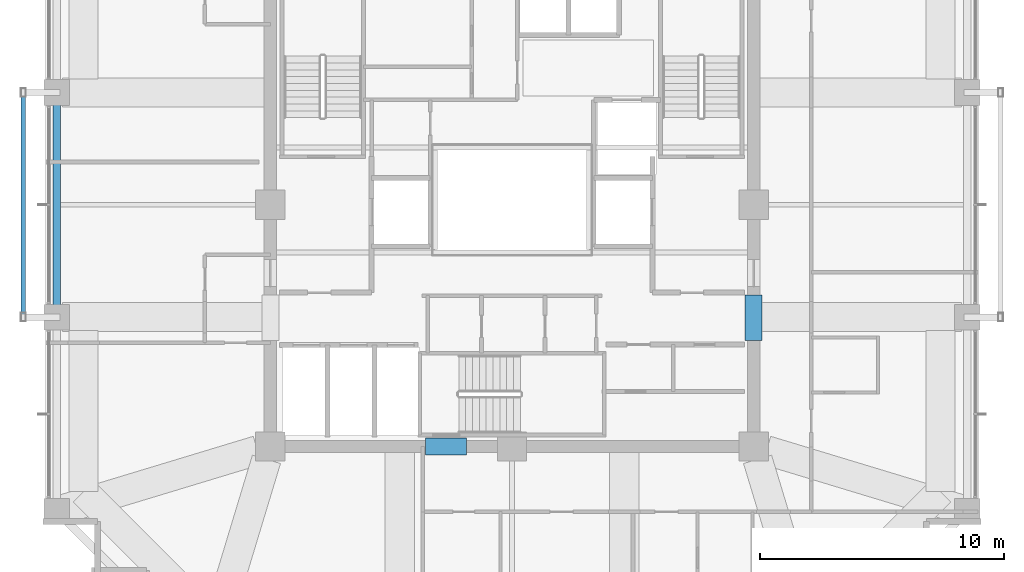
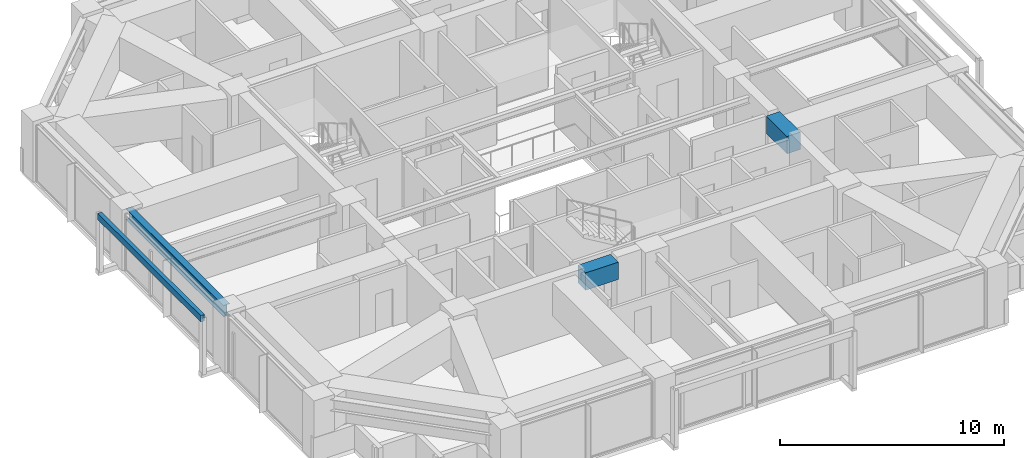
# One storey, part 7 of 28: 3 beams, 1 member.
"""IFC4 building model written with IfcOpenShell, lengths in metres."""

from ifc_helpers import new_model, si_unit, direction, frame, origin, origin_2d, place, context, subcontext, project, spatial, rectangle, hollow_rectangle, i_section, extrude, material, material_profile, profile_set, type_object, element, save


model = new_model("IFC4")

# Units and contexts
model_context = context("Model", 3, precision=1e-05, world=origin(), true_north=direction((0.0, 1.0)))
body_context = subcontext(model_context, "Body", "Model", "MODEL_VIEW")
ifc_project = project(units=[si_unit("LENGTHUNIT", "METRE"), si_unit("AREAUNIT", "SQUARE_METRE"), si_unit("VOLUMEUNIT", "CUBIC_METRE"), si_unit("PLANEANGLEUNIT", "RADIAN"), si_unit("MASSUNIT", "GRAM", prefix="KILO")], contexts=[model_context])

# Site, building, storey
site_placement = place(None, origin())
site = spatial("IfcSite", under=ifc_project, at=site_placement, CompositionType="ELEMENT")
building_placement = place(site_placement, origin())
building = spatial("IfcBuilding", under=site, at=building_placement, Name="Kolvaren Belvedere", CompositionType="ELEMENT")
storey_placement = place(building_placement, frame((0.0, 0.0, 125.0)))
storey = spatial("IfcBuildingStorey", under=building, at=storey_placement, Name="L36", CompositionType="ELEMENT", Elevation=125.0)

# Beams
ifc_material_1 = material(Name="Concrete C60/75", Category="concrete")
ifc_material_profile_1 = material_profile(ifc_material_1, rectangle(XDim=0.699951171875, YDim=0.949951171875, at=origin_2d()), Name="RC 700X950")
ifc_profile_set_1 = profile_set([ifc_material_profile_1], Name="Concrete C60/75")
beam_type_1 = type_object("IfcBeamType", Name="BM-LINT-950", PredefinedType="LINTEL", material=ifc_profile_set_1)
beam_1_placement = place(storey_placement, frame((-3.5400390625, -9.89990234375, 2.625), z_axis=(1.0, 0.0, 0.0), x_axis=(0.0, 1.0, 0.0)))
element("IfcBeam", 1, at=beam_1_placement, inside=storey, type_object=beam_type_1, Name="L36 South Core Coupling Lintel", PredefinedType="LINTEL", context=body_context, shape_type="SweptSolid", body=[
    extrude(rectangle(XDim=0.699951171875, YDim=0.949951171875, at=origin_2d()), origin(), (0.0, 0.0, 1.0), 1.679931640625),
])
beam_2_placement = place(storey_placement, frame((9.89990234375, -5.550048828125, 2.625), z_axis=(0.0, 1.0, 0.0), x_axis=(-1.0, 0.0, 0.0)))
element("IfcBeam", 2, at=beam_2_placement, inside=storey, type_object=beam_type_1, Name="L36 East Core Coupling Lintel", PredefinedType="LINTEL", context=body_context, shape_type="SweptSolid", body=[
    extrude(rectangle(XDim=0.699951171875, YDim=0.949951171875, at=origin_2d()), origin(), (0.0, 0.0, 1.0), 1.85009765625),
])
ifc_material_2 = material(Name="Structural steel ASTM A992 Grade 50", Category="steel")
ifc_material_profile_2 = material_profile(ifc_material_2, i_section(OverallWidth=0.324951171875, OverallDepth=0.615966796875, WebThickness=0.013916015625, FlangeThickness=0.021484375, FilletRadius=0.02001953125, at=origin_2d()), Name="W24X117")
ifc_profile_set_2 = profile_set([ifc_material_profile_2], Name="Structural steel ASTM A992 Grade 50")
beam_type_2 = type_object("IfcBeamType", Name="BM-SPAN-W24X117", PredefinedType="SPANDREL", material=ifc_profile_set_2)
beam_3_placement = place(storey_placement, frame((-18.64990234375, 4.36376953125, 2.7919921875), z_axis=(0.0, -1.0, 0.0), x_axis=(1.0, 0.0, 0.0)))
element("IfcBeam", 3, at=beam_3_placement, inside=storey, type_object=beam_type_2, Name="L36 Perimeter Spandrel W3-W2", PredefinedType="SPANDREL", context=body_context, shape_type="SweptSolid", body=[
    extrude(i_section(OverallWidth=0.324951171875, OverallDepth=0.615966796875, WebThickness=0.013916015625, FlangeThickness=0.021484375, FilletRadius=0.02001953125, at=origin_2d()), origin(), (0.0, 0.0, 1.0), 8.7275390625),
])

# Member
ifc_material_3 = material(Name="Anodised pale-metal aluminium AA 6063-T6", Category="aluminium")
ifc_material_profile_3 = material_profile(ifc_material_3, hollow_rectangle(XDim=0.199951171875, YDim=0.35009765625, WallThickness=0.007568359375, at=origin_2d()), Name="ALU-PF-350X200")
ifc_profile_set_3 = profile_set([ifc_material_profile_3], Name="Anodised pale-metal aluminium AA 6063-T6")
member_type = type_object("IfcMemberType", Name="PF-FRAME-350", PredefinedType="USERDEFINED", material=ifc_profile_set_3)
member_placement = place(storey_placement, frame((-20.02001953125, -4.60009765625, 2.969970703125), z_axis=(0.0, 1.0, 0.0), x_axis=(-1.0, 0.0, 0.0)))
element("IfcMember", 4, at=member_placement, inside=storey, type_object=member_type, Name="L36 Outboard Picture-Frame Head W", ObjectType="PICTURE FRAME FIN", PredefinedType="USERDEFINED", context=body_context, shape_type="SweptSolid", body=[
    extrude(hollow_rectangle(XDim=0.199951171875, YDim=0.35009765625, WallThickness=0.007568359375, at=origin_2d()), origin(), (0.0, 0.0, 1.0), 9.2001953125),
])

save(model, "model.ifc")
